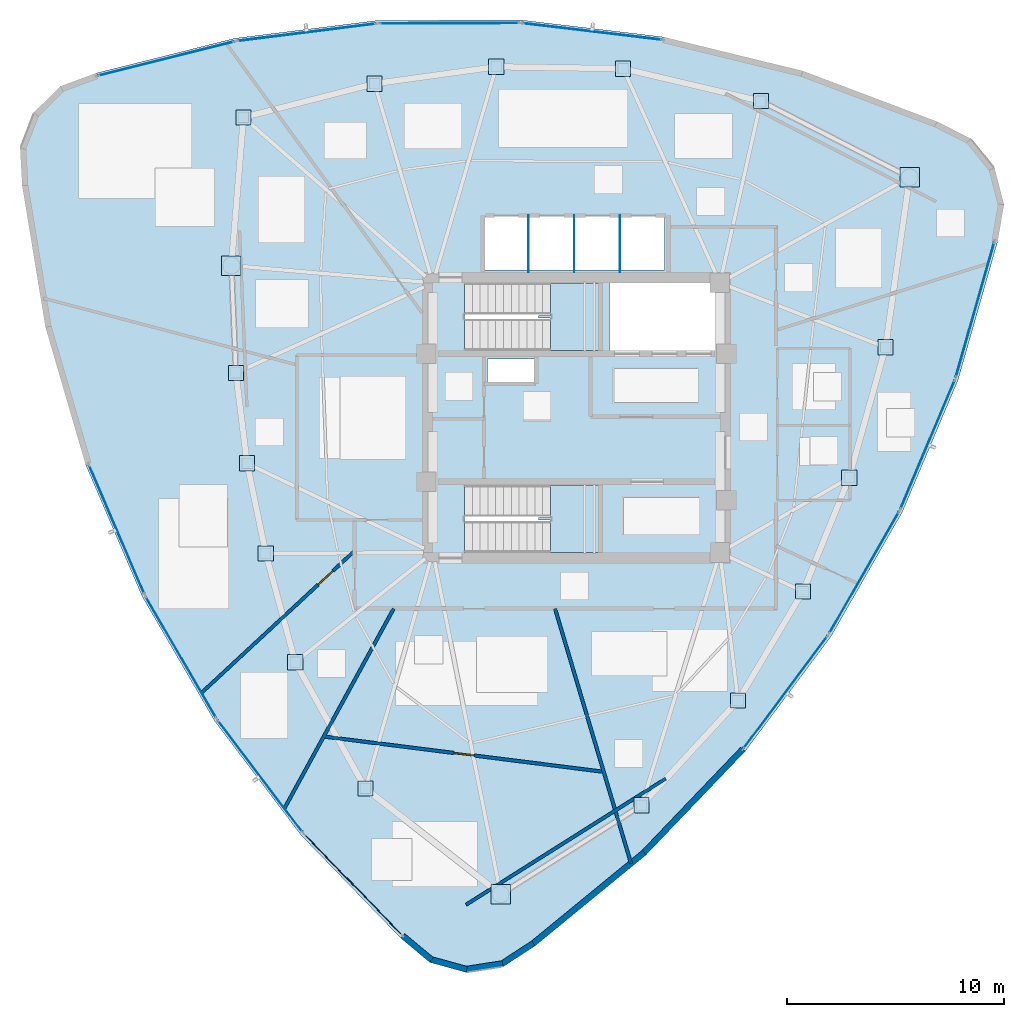
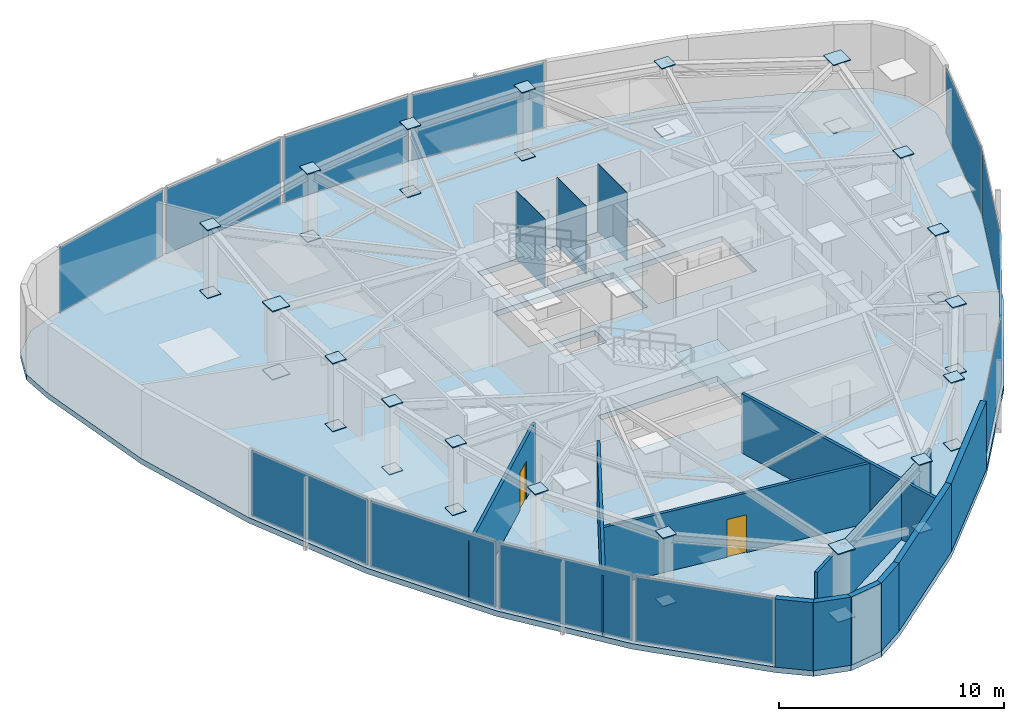
# One storey, part 7 of 12: 51 plates, 11 walls, 3 slabs, 2 doors, 2 openings, 14 elements without a shape of their own.
"""IFC4 building model written with IfcOpenShell, lengths in metres."""

from ifc_helpers import new_model, si_unit, direction, frame, frame_2d, origin, origin_2d, place, context, subcontext, project, spatial, polyline, rectangle, outline, extrude, source, transform, mapped, material, layer, layer_set, type_object, type_shapes, element, fill, aggregate, save


model = new_model("IFC4")

# Units and contexts
model_context = context("Model", 3, precision=1e-05, world=origin(), true_north=direction((0.0, 1.0)))
body_context = subcontext(model_context, "Body", "Model", "MODEL_VIEW")
ifc_project = project(units=[si_unit("LENGTHUNIT", "METRE"), si_unit("AREAUNIT", "SQUARE_METRE"), si_unit("VOLUMEUNIT", "CUBIC_METRE"), si_unit("PLANEANGLEUNIT", "RADIAN"), si_unit("MASSUNIT", "GRAM", prefix="KILO")], contexts=[model_context])

# Site, building, storey
site_placement = place(None, origin())
site = spatial("IfcSite", under=ifc_project, at=site_placement, CompositionType="ELEMENT")
building_placement = place(site_placement, origin())
building = spatial("IfcBuilding", under=site, at=building_placement, Name="Tavelor Broadcast Tower", CompositionType="ELEMENT")
storey_placement = place(building_placement, frame((0.0, 0.0, 281.5)))
storey = spatial("IfcBuildingStorey", under=building, at=storey_placement, Name="L67", CompositionType="ELEMENT", Elevation=281.5)

# Stair, slab
ifc_material_1 = material(Name="Concrete C40/50", Category="concrete")
stair_type = type_object("IfcStairType", Name="Reinforced Concrete Protected Dogleg Stair 1450 mm", PredefinedType="HALF_TURN_STAIR", material=ifc_material_1)
stair_1_placement = place(storey_placement, origin())
stair_1 = element("IfcStair", 1, at=stair_1_placement, inside=storey, type_object=stair_type, Name="L67 Protected Core Exit Stair ST1", PredefinedType="HALF_TURN_STAIR")
ifc_layer_1 = layer(ifc_material_1, 0.199951171875)
ifc_layer_set_1 = layer_set([ifc_layer_1], Name="Concrete C40/50")
slab_type_1 = type_object("IfcSlabType", Name="Reinforced Concrete Stair Half-Landing Slab 200 mm", PredefinedType="LANDING", material=ifc_layer_set_1)
slab_1_placement = place(storey_placement, frame((0.0, 0.0, 1.800048828125)))
slab_1 = element("IfcSlab", 2, at=slab_1_placement, type_object=slab_type_1, Name="ST1 landing 1", PredefinedType="LANDING", context=body_context, shape_type="SweptSolid", body=[
    extrude(outline(polyline([(48.804931640625, 49.590087890625), (48.804931640625, 48.094970703125), (51.0048828125, 48.094970703125), (51.0048828125, 51.205078125), (48.804931640625, 51.205078125), (48.804931640625, 49.7099609375), (48.264892578125, 49.7099609375), (48.264892578125, 49.590087890625), (48.804931640625, 49.590087890625)])), origin(), (0.0, 0.0, 1.0), 0.199951171875),
])
aggregate(stair_1, [slab_1])

stair_2_placement = place(storey_placement, origin())
stair_2 = element("IfcStair", 3, at=stair_2_placement, inside=storey, type_object=stair_type, Name="L67 Protected Core Exit Stair ST2", PredefinedType="HALF_TURN_STAIR")
slab_2_placement = place(storey_placement, frame((0.0, 0.0, 1.800048828125)))
slab_2 = element("IfcSlab", 4, at=slab_2_placement, type_object=slab_type_1, Name="ST2 landing 1", PredefinedType="LANDING", context=body_context, shape_type="SweptSolid", body=[
    extrude(outline(polyline([(48.804931640625, 40.2900390625), (48.804931640625, 38.794921875), (51.0048828125, 38.794921875), (51.0048828125, 41.905029296875), (48.804931640625, 41.905029296875), (48.804931640625, 40.409912109375), (48.264892578125, 40.409912109375), (48.264892578125, 40.2900390625), (48.804931640625, 40.2900390625)])), origin(), (0.0, 0.0, 1.0), 0.199951171875),
])
aggregate(stair_2, [slab_2])

# Slab
ifc_layer_2 = layer(ifc_material_1, 0.300048828125)
ifc_layer_set_2 = layer_set([ifc_layer_2], Name="Concrete C40/50")
slab_type_2 = type_object("IfcSlabType", Name="Tower Composite Floor Slab 300 mm", PredefinedType="FLOOR", material=ifc_layer_set_2)
slab_3_placement = place(storey_placement, frame((0.0, 0.0, -0.300048828125)))
element("IfcSlab", 5, at=slab_3_placement, inside=storey, type_object=slab_type_2, Name="L67 Structural Floor Slab", PredefinedType="FLOOR", context=body_context, shape_type="SweptSolid", body=[
    extrude(outline(polyline([(27.90673828125, 60.843994140625), (26.2802734375, 60.244140625), (25.044677734375, 59.02783203125), (24.419189453125, 57.410888671875), (24.514404296875, 55.6796875), (25.58349609375, 49.16796875), (27.432861328125, 42.83349609375), (30.034912109375, 36.769287109375), (33.35205078125, 31.064453125), (37.3349609375, 25.802978515625), (41.92529296875, 21.062255859375), (43.25830078125, 19.95361328125), (44.92919921875, 19.491943359375), (46.642333984375, 19.758544921875), (48.09375, 20.70654296875), (53.198486328125, 24.888427734375), (57.760009765625, 29.6572265625), (61.71044921875, 34.94287109375), (64.992431640625, 40.667724609375), (67.5576171875, 46.747802734375), (69.367919921875, 53.093505859375), (69.66162109375, 54.80224609375), (69.22607421875, 56.480224609375), (68.138671875, 57.83056640625), (66.591796875, 58.613525390625), (60.41796875, 60.943603515625), (54.00732421875, 62.50927734375), (47.45458984375, 63.287841796875), (40.85546875, 63.267578125), (34.3076171875, 62.44921875), (27.90673828125, 60.843994140625)]), holes=[polyline([(50.99609375, 41.89599609375), (50.99609375, 38.803955078125), (44.85400390625, 38.803955078125), (44.85400390625, 41.89599609375), (50.99609375, 41.89599609375)]), polyline([(48.050048828125, 47.699951171875), (48.050048828125, 46.64990234375), (45.89990234375, 46.64990234375), (45.89990234375, 47.699951171875), (48.050048828125, 47.699951171875)]), polyline([(50.99609375, 51.196044921875), (50.99609375, 48.10400390625), (44.85400390625, 48.10400390625), (44.85400390625, 51.196044921875), (50.99609375, 51.196044921875)]), polyline([(56.60009765625, 48.10009765625), (51.52001953125, 48.10009765625), (51.52001953125, 51.199951171875), (56.60009765625, 51.199951171875), (56.60009765625, 48.10009765625)]), polyline([(54.050048828125, 51.800048828125), (45.800048828125, 51.800048828125), (45.800048828125, 54.25), (54.050048828125, 54.25), (54.050048828125, 51.800048828125)])]), origin(), (0.0, 0.0, 1.0), 0.300048828125),
])

# Plates
ifc_material_2 = material(Name="Steel S460", Category="steel")
ifc_layer_3 = layer(ifc_material_2, 0.050048828125)
ifc_layer_set_3 = layer_set([ifc_layer_3], Name="Steel S460")
plate_type_1 = type_object("IfcPlateType", Name="Tube Hollow-End Cap Plate KN05 700x700x50", PredefinedType="USERDEFINED", material=ifc_layer_set_3)
shared_shape_1 = source(origin(), body_context, "Body", "SweptSolid", [
    extrude(rectangle(XDim=0.699951171875, YDim=0.699951171875, at=origin_2d()), origin(), (0.0, 0.0, 1.0), 0.054931640625),
])
for number, where, z_axis, x_axis, name in (
    (6, (34.341552734375, 47.061279296875, -0.02734375), (0.0, 0.0, 1.0), (1.0, 0.0, 0.0), "L67 Hollow End Cap Plate KN05 #1995"),
    (7, (34.341552734375, 47.061279296875, 3.67236328125), (0.0, 0.0, 1.0), (1.0, 0.0, 0.0), "L67 Hollow End Cap Plate KN05 #1996"),
    (8, (34.85400390625, 42.90185546875, -0.02734375), (0.0, 0.0, 1.0), (1.0, 0.0, 0.0), "L67 Hollow End Cap Plate KN05 #1997"),
    (9, (34.85400390625, 42.90185546875, 3.67236328125), (0.0, 0.0, 1.0), (1.0, 0.0, 0.0), "L67 Hollow End Cap Plate KN05 #1998"),
    (10, (35.716552734375, 38.757080078125, -0.02734375), (0.0, 0.0, 1.0), (1.0, 0.0, 0.0), "L67 Hollow End Cap Plate KN05 #1999"),
    (11, (35.716552734375, 38.757080078125, 3.67236328125), (0.0, 0.0, 1.0), (1.0, 0.0, 0.0), "L67 Hollow End Cap Plate KN05 #2000"),
    (12, (37.068115234375, 33.759521484375, -0.02734375), (0.0, 0.0, 1.0), (1.0, 0.0, 0.0), "L67 Hollow End Cap Plate KN05 #2001"),
    (13, (37.068115234375, 33.759521484375, 3.67236328125), (0.0, 0.0, 1.0), (1.0, 0.0, 0.0), "L67 Hollow End Cap Plate KN05 #2002"),
    (14, (40.29638671875, 27.95361328125, -0.02734375), (0.0, 0.0, 1.0), (1.0, 0.0, 0.0), "L67 Hollow End Cap Plate KN05 #2003"),
    (15, (40.29638671875, 27.95361328125, 3.67236328125), (0.0, 0.0, 1.0), (1.0, 0.0, 0.0), "L67 Hollow End Cap Plate KN05 #2004"),
    (16, (52.992919921875, 27.1767578125, -0.02734375), (0.0, 0.0, 1.0), (1.0, 0.0, 0.0), "L67 Hollow End Cap Plate KN05 #2007"),
    (17, (52.992919921875, 27.1767578125, 3.67236328125), (0.0, 0.0, 1.0), (1.0, 0.0, 0.0), "L67 Hollow End Cap Plate KN05 #2008"),
    (18, (57.431396484375, 31.9921875, -0.02734375), (0.0, 0.0, 1.0), (1.0, 0.0, 0.0), "L67 Hollow End Cap Plate KN05 #2009"),
    (19, (57.431396484375, 31.9921875, 3.67236328125), (0.0, 0.0, 1.0), (1.0, 0.0, 0.0), "L67 Hollow End Cap Plate KN05 #2010"),
    (20, (60.41748046875, 37.00439453125, -0.02734375), (0.0, 0.0, 1.0), (1.0, 0.0, 0.0), "L67 Hollow End Cap Plate KN05 #2011"),
    (21, (60.41748046875, 37.00439453125, 3.67236328125), (0.0, 0.0, 1.0), (1.0, 0.0, 0.0), "L67 Hollow End Cap Plate KN05 #2012"),
    (22, (62.543701171875, 42.240478515625, -0.02734375), (0.0, 0.0, 1.0), (1.0, 0.0, 0.0), "L67 Hollow End Cap Plate KN05 #2013"),
    (23, (62.543701171875, 42.240478515625, 3.67236328125), (0.0, 0.0, 1.0), (1.0, 0.0, 0.0), "L67 Hollow End Cap Plate KN05 #2014"),
    (24, (64.21435546875, 48.2373046875, -0.02734375), (0.0, 0.0, 1.0), (1.0, 0.0, 0.0), "L67 Hollow End Cap Plate KN05 #2015"),
    (25, (64.21435546875, 48.2373046875, 3.67236328125), (0.0, 0.0, 1.0), (1.0, 0.0, 0.0), "L67 Hollow End Cap Plate KN05 #2016"),
    (26, (58.485595703125, 59.55712890625, -0.02734375), (0.0, 0.0, 1.0), (1.0, 0.0, 0.0), "L67 Hollow End Cap Plate KN05 #2019"),
    (27, (58.485595703125, 59.55712890625, 3.67236328125), (0.0, 0.0, 1.0), (1.0, 0.0, 0.0), "L67 Hollow End Cap Plate KN05 #2020"),
    (28, (52.147216796875, 61.05078125, -0.02734375), (0.0, 0.0, 1.0), (1.0, 0.0, 0.0), "L67 Hollow End Cap Plate KN05 #2021"),
    (29, (52.147216796875, 61.05078125, 3.67236328125), (0.0, 0.0, 1.0), (1.0, 0.0, 0.0), "L67 Hollow End Cap Plate KN05 #2022"),
    (30, (46.3154296875, 61.13720703125, -0.02734375), (0.0, 0.0, 1.0), (1.0, 0.0, 0.0), "L67 Hollow End Cap Plate KN05 #2023"),
    (31, (46.3154296875, 61.13720703125, 3.67236328125), (0.0, 0.0, 1.0), (1.0, 0.0, 0.0), "L67 Hollow End Cap Plate KN05 #2024"),
    (32, (40.718017578125, 60.36083984375, -0.02734375), (0.0, 0.0, 1.0), (1.0, 0.0, 0.0), "L67 Hollow End Cap Plate KN05 #2025"),
    (33, (40.718017578125, 60.36083984375, 3.67236328125), (0.0, 0.0, 1.0), (1.0, 0.0, 0.0), "L67 Hollow End Cap Plate KN05 #2026"),
    (34, (34.689208984375, 58.80908203125, -0.02734375), (0.0, 0.0, 1.0), (1.0, 0.0, 0.0), "L67 Hollow End Cap Plate KN05 #2027"),
    (35, (34.689208984375, 58.80908203125, 3.67236328125), (0.0, 0.0, 1.0), (1.0, 0.0, 0.0), "L67 Hollow End Cap Plate KN05 #2028"),
):
    element("IfcPlate", number, at=place(storey_placement, frame(where, z_axis=z_axis, x_axis=x_axis)), inside=storey, type_object=plate_type_1, Name=name, ObjectType="CAP PLATE", PredefinedType="USERDEFINED", context=body_context, shape_type="MappedRepresentation", body=[
        mapped(shared_shape_1, transform((0.0, 0.0, 0.0), scale=1.0)),
    ])
shared_shape_2 = source(origin(), body_context, "Body", "SweptSolid", [
    extrude(rectangle(XDim=0.89306640625, YDim=0.89306640625, at=origin_2d()), origin(), (0.0, 0.0, 1.0), 0.054931640625),
])
type_shapes(plate_type_1, [shared_shape_1, shared_shape_2])
for number, where, z_axis, x_axis, name in (
    (36, (34.134765625, 51.995849609375, -0.02734375), (0.0, 0.0, 1.0), (1.0, 0.0, 0.0), "L67 Hollow End Cap Plate KN05 #1993"),
    (37, (34.134765625, 51.995849609375, 3.67236328125), (0.0, 0.0, 1.0), (1.0, 0.0, 0.0), "L67 Hollow End Cap Plate KN05 #1994"),
    (38, (46.5146484375, 23.08740234375, -0.02734375), (0.0, 0.0, 1.0), (1.0, 0.0, 0.0), "L67 Hollow End Cap Plate KN05 #2005"),
    (39, (46.5146484375, 23.08740234375, 3.67236328125), (0.0, 0.0, 1.0), (1.0, 0.0, 0.0), "L67 Hollow End Cap Plate KN05 #2006"),
    (40, (65.319580078125, 56.0556640625, -0.02734375), (0.0, 0.0, 1.0), (1.0, 0.0, 0.0), "L67 Hollow End Cap Plate KN05 #2017"),
    (41, (65.319580078125, 56.0556640625, 3.67236328125), (0.0, 0.0, 1.0), (1.0, 0.0, 0.0), "L67 Hollow End Cap Plate KN05 #2018"),
):
    element("IfcPlate", number, at=place(storey_placement, frame(where, z_axis=z_axis, x_axis=x_axis)), inside=storey, type_object=plate_type_1, Name=name, ObjectType="CAP PLATE", PredefinedType="USERDEFINED", context=body_context, shape_type="MappedRepresentation", body=[
        mapped(shared_shape_2, transform((0.0, 0.0, 0.0), scale=1.0)),
    ])
ifc_material_3 = material(Name="Steel S355", Category="steel")
ifc_layer_4 = layer(ifc_material_3, 0.011962890625)
ifc_layer_set_4 = layer_set([ifc_layer_4], Name="Steel S355")
plate_type_2 = type_object("IfcPlateType", Name="Hoistway Steel Separator Screen 12 mm", PredefinedType="SHEET", material=ifc_layer_set_4)
shared_shape_3 = source(origin(), body_context, "Body", "SweptSolid", [
    extrude(rectangle(XDim=0.02001953125, YDim=2.6201171875, at=origin_2d()), origin(), (0.0, 0.0, 1.0), 3.699951171875),
])
type_shapes(plate_type_2, [shared_shape_3])
for number, where, z_axis, x_axis, name in (
    (42, (47.800048828125, 52.989990234375, 0.0), (0.0, 0.0, 1.0), (1.0, 0.0, 0.0), "L67 High-Rise Hoistway Separator Screen 1"),
    (43, (49.89990234375, 52.989990234375, 0.0), (0.0, 0.0, 1.0), (1.0, 0.0, 0.0), "L67 High-Rise Hoistway Separator Screen 2"),
    (44, (52.0, 52.989990234375, 0.0), (0.0, 0.0, 1.0), (1.0, 0.0, 0.0), "L67 High-Rise Hoistway Separator Screen 3"),
):
    element("IfcPlate", number, at=place(storey_placement, frame(where, z_axis=z_axis, x_axis=x_axis)), inside=storey, type_object=plate_type_2, Name=name, PredefinedType="SHEET", context=body_context, shape_type="MappedRepresentation", body=[
        mapped(shared_shape_3, transform((0.0, 0.0, 0.0), scale=1.0)),
    ])

# Curtain wall, plate
ifc_material_4 = material(Name="Architectural Anodized Aluminium", Category="aluminium")
ifc_layer_5 = layer(ifc_material_4, 0.199951171875)
ifc_layer_set_5 = layer_set([ifc_layer_5], Name="Architectural Anodized Aluminium")
curtain_wall_type = type_object("IfcCurtainWallType", Name="Tower High-Zone Triple-Glazed Curtain Wall CW04", PredefinedType="NOTDEFINED", material=ifc_layer_set_5)
curtain_wall_1_placement = place(storey_placement, origin())
curtain_wall_1 = element("IfcCurtainWall", 45, at=curtain_wall_1_placement, inside=storey, type_object=curtain_wall_type, Name="L67 Curtain Wall CW04 Run 733", PredefinedType="NOTDEFINED")
ifc_material_5 = material(Name="High-Altitude Triple Glazing 36 mm", Category="glass")
ifc_layer_6 = layer(ifc_material_5, 0.035888671875)
ifc_layer_set_6 = layer_set([ifc_layer_6], Name="High-Altitude Triple Glazing 36 mm")
plate_type_3 = type_object("IfcPlateType", Name="CW04 Insulated Vision Glazing Panel 36 mm", PredefinedType="CURTAIN_PANEL", material=ifc_layer_set_6)
shared_shape_4 = source(origin(), body_context, "Body", "SweptSolid", [
    extrude(rectangle(XDim=6.427001953125, YDim=0.035888671875, at=origin_2d()), origin(), (0.0, 0.0, 1.0), 3.56005859375),
])
plate_1_placement = place(storey_placement, frame((28.859619140625, 39.863525390625, 0.070068359375), z_axis=(0.0, 0.0, 1.0), x_axis=(0.394338283809, -0.918965351862, 0.0)))
plate_1 = element("IfcPlate", 46, at=plate_1_placement, type_object=plate_type_3, Name="CW04 panel 1.1", PredefinedType="CURTAIN_PANEL", context=body_context, shape_type="MappedRepresentation", body=[
    mapped(shared_shape_4, transform((0.0, 0.0, 0.0), scale=1.0)),
])
aggregate(curtain_wall_1, [plate_1])

curtain_wall_2_placement = place(storey_placement, origin())
curtain_wall_2 = element("IfcCurtainWall", 47, at=curtain_wall_2_placement, inside=storey, type_object=curtain_wall_type, Name="L67 Curtain Wall CW04 Run 737", PredefinedType="NOTDEFINED")
plate_2_placement = place(storey_placement, frame((59.61865234375, 32.3779296875, 0.070068359375), z_axis=(0.0, 0.0, 1.0), x_axis=(0.598666428803, 0.800998443834, 0.0)))
plate_2 = element("IfcPlate", 48, at=plate_2_placement, type_object=plate_type_3, Name="CW04 panel 1.1", PredefinedType="CURTAIN_PANEL", context=body_context, shape_type="MappedRepresentation", body=[
    mapped(shared_shape_4, transform((0.0, 0.0, 0.0), scale=1.0)),
])
aggregate(curtain_wall_2, [plate_2])

curtain_wall_3_placement = place(storey_placement, origin())
curtain_wall_3 = element("IfcCurtainWall", 49, at=curtain_wall_3_placement, inside=storey, type_object=curtain_wall_type, Name="L67 Curtain Wall CW04 Run 734", PredefinedType="NOTDEFINED")
shared_shape_5 = source(origin(), body_context, "Body", "SweptSolid", [
    extrude(rectangle(XDim=6.412109375, YDim=0.035888671875, at=origin_2d()), origin(), (0.0, 0.0, 1.0), 3.56005859375),
])
plate_3_placement = place(storey_placement, frame((31.814453125, 33.9873046875, 0.070068359375), z_axis=(0.0, 0.0, 1.0), x_axis=(0.50265016745, -0.864489912701, 0.0)))
plate_3 = element("IfcPlate", 50, at=plate_3_placement, type_object=plate_type_3, Name="CW04 panel 1.1", PredefinedType="CURTAIN_PANEL", context=body_context, shape_type="MappedRepresentation", body=[
    mapped(shared_shape_5, transform((0.0, 0.0, 0.0), scale=1.0)),
])
aggregate(curtain_wall_3, [plate_3])

curtain_wall_4_placement = place(storey_placement, origin())
curtain_wall_4 = element("IfcCurtainWall", 51, at=curtain_wall_4_placement, inside=storey, type_object=curtain_wall_type, Name="L67 Curtain Wall CW04 Run 742", PredefinedType="NOTDEFINED")
plate_4_placement = place(storey_placement, frame((44.155517578125, 63.1376953125, 0.070068359375), z_axis=(0.0, 0.0, 1.0), x_axis=(-0.999995341145, -0.003052488837, 0.0)))
plate_4 = element("IfcPlate", 52, at=plate_4_placement, type_object=plate_type_3, Name="CW04 panel 1.1", PredefinedType="CURTAIN_PANEL", context=body_context, shape_type="MappedRepresentation", body=[
    mapped(shared_shape_5, transform((0.0, 0.0, 0.0), scale=1.0)),
])
aggregate(curtain_wall_4, [plate_4])

curtain_wall_5_placement = place(storey_placement, origin())
curtain_wall_5 = element("IfcCurtainWall", 53, at=curtain_wall_5_placement, inside=storey, type_object=curtain_wall_type, Name="L67 Curtain Wall CW04 Run 735", PredefinedType="NOTDEFINED")
shared_shape_6 = source(origin(), body_context, "Body", "SweptSolid", [
    extrude(rectangle(XDim=6.411865234375, YDim=0.035888671875, at=origin_2d()), origin(), (0.0, 0.0, 1.0), 3.56005859375),
])
plate_5_placement = place(storey_placement, frame((35.455078125, 28.518310546875, 0.070068359375), z_axis=(0.0, 0.0, 1.0), x_axis=(0.603559383955, -0.797318048234, 0.0)))
plate_5 = element("IfcPlate", 54, at=plate_5_placement, type_object=plate_type_3, Name="CW04 panel 1.1", PredefinedType="CURTAIN_PANEL", context=body_context, shape_type="MappedRepresentation", body=[
    mapped(shared_shape_6, transform((0.0, 0.0, 0.0), scale=1.0)),
])
aggregate(curtain_wall_5, [plate_5])

curtain_wall_6_placement = place(storey_placement, origin())
curtain_wall_6 = element("IfcCurtainWall", 55, at=curtain_wall_6_placement, inside=storey, type_object=curtain_wall_type, Name="L67 Curtain Wall CW04 Run 738", PredefinedType="NOTDEFINED")
plate_6_placement = place(storey_placement, frame((63.22998046875, 37.875, 0.070068359375), z_axis=(0.0, 0.0, 1.0), x_axis=(0.497362976616, 0.867542546214, 0.0)))
plate_6 = element("IfcPlate", 56, at=plate_6_placement, type_object=plate_type_3, Name="CW04 panel 1.1", PredefinedType="CURTAIN_PANEL", context=body_context, shape_type="MappedRepresentation", body=[
    mapped(shared_shape_6, transform((0.0, 0.0, 0.0), scale=1.0)),
])
aggregate(curtain_wall_6, [plate_6])

curtain_wall_7_placement = place(storey_placement, origin())
curtain_wall_7 = element("IfcCurtainWall", 57, at=curtain_wall_7_placement, inside=storey, type_object=curtain_wall_type, Name="L67 Curtain Wall CW04 Run 739", PredefinedType="NOTDEFINED")
plate_7_placement = place(storey_placement, frame((66.14599609375, 43.76220703125, 0.070068359375), z_axis=(0.0, 0.0, 1.0), x_axis=(0.38872216706, 0.921355022147, 0.0)))
plate_7 = element("IfcPlate", 58, at=plate_7_placement, type_object=plate_type_3, Name="CW04 panel 1.1", PredefinedType="CURTAIN_PANEL", context=body_context, shape_type="MappedRepresentation", body=[
    mapped(shared_shape_6, transform((0.0, 0.0, 0.0), scale=1.0)),
])
aggregate(curtain_wall_7, [plate_7])

curtain_wall_8_placement = place(storey_placement, origin())
curtain_wall_8 = element("IfcCurtainWall", 59, at=curtain_wall_8_placement, inside=storey, type_object=curtain_wall_type, Name="L67 Curtain Wall CW04 Run 743", PredefinedType="NOTDEFINED")
plate_8_placement = place(storey_placement, frame((37.598876953125, 62.719482421875, 0.070068359375), z_axis=(0.0, 0.0, 1.0), x_axis=(-0.992275058681, -0.124057276772, 0.0)))
plate_8 = element("IfcPlate", 60, at=plate_8_placement, type_object=plate_type_3, Name="CW04 panel 1.1", PredefinedType="CURTAIN_PANEL", context=body_context, shape_type="MappedRepresentation", body=[
    mapped(shared_shape_6, transform((0.0, 0.0, 0.0), scale=1.0)),
])
aggregate(curtain_wall_8, [plate_8])

curtain_wall_9_placement = place(storey_placement, origin())
curtain_wall_9 = element("IfcCurtainWall", 61, at=curtain_wall_9_placement, inside=storey, type_object=curtain_wall_type, Name="L67 Curtain Wall CW04 Run 736", PredefinedType="NOTDEFINED")
shared_shape_7 = source(origin(), body_context, "Body", "SweptSolid", [
    extrude(rectangle(XDim=6.427978515625, YDim=0.035888671875, at=origin_2d()), origin(), (0.0, 0.0, 1.0), 3.56005859375),
])
plate_9_placement = place(storey_placement, frame((39.736083984375, 23.5244140625, 0.070068359375), z_axis=(0.0, 0.0, 1.0), x_axis=(0.695610859896, -0.718418771745, 0.0)))
plate_9 = element("IfcPlate", 62, at=plate_9_placement, type_object=plate_type_3, Name="CW04 panel 1.1", PredefinedType="CURTAIN_PANEL", context=body_context, shape_type="MappedRepresentation", body=[
    mapped(shared_shape_7, transform((0.0, 0.0, 0.0), scale=1.0)),
])
aggregate(curtain_wall_9, [plate_9])

curtain_wall_10_placement = place(storey_placement, origin())
curtain_wall_10 = element("IfcCurtainWall", 63, at=curtain_wall_10_placement, inside=storey, type_object=curtain_wall_type, Name="L67 Curtain Wall CW04 Run 740", PredefinedType="NOTDEFINED")
plate_10_placement = place(storey_placement, frame((68.330322265625, 49.966796875, 0.070068359375), z_axis=(0.0, 0.0, 1.0), x_axis=(0.274349086952, 0.96163016721, 0.0)))
plate_10 = element("IfcPlate", 64, at=plate_10_placement, type_object=plate_type_3, Name="CW04 panel 1.1", PredefinedType="CURTAIN_PANEL", context=body_context, shape_type="MappedRepresentation", body=[
    mapped(shared_shape_7, transform((0.0, 0.0, 0.0), scale=1.0)),
])
aggregate(curtain_wall_10, [plate_10])

curtain_wall_11_placement = place(storey_placement, origin())
curtain_wall_11 = element("IfcCurtainWall", 65, at=curtain_wall_11_placement, inside=storey, type_object=curtain_wall_type, Name="L67 Curtain Wall CW04 Run 744", PredefinedType="NOTDEFINED")
plate_11_placement = place(storey_placement, frame((31.133544921875, 61.5087890625, 0.070068359375), z_axis=(0.0, 0.0, 1.0), x_axis=(-0.969970300538, -0.243223387187, 0.0)))
plate_11 = element("IfcPlate", 66, at=plate_11_placement, type_object=plate_type_3, Name="CW04 panel 1.1", PredefinedType="CURTAIN_PANEL", context=body_context, shape_type="MappedRepresentation", body=[
    mapped(shared_shape_7, transform((0.0, 0.0, 0.0), scale=1.0)),
])
aggregate(curtain_wall_11, [plate_11])

curtain_wall_12_placement = place(storey_placement, origin())
curtain_wall_12 = element("IfcCurtainWall", 67, at=curtain_wall_12_placement, inside=storey, type_object=curtain_wall_type, Name="L67 Curtain Wall CW04 Run 741", PredefinedType="NOTDEFINED")
shared_shape_8 = source(origin(), body_context, "Body", "SweptSolid", [
    extrude(rectangle(XDim=6.4267578125, YDim=0.035888671875, at=origin_2d()), origin(), (0.0, 0.0, 1.0), 3.56005859375),
])
type_shapes(plate_type_3, [shared_shape_4, shared_shape_5, shared_shape_6, shared_shape_7, shared_shape_8])
plate_12_placement = place(storey_placement, frame((50.7216796875, 62.7587890625, 0.070068359375), z_axis=(0.0, 0.0, 1.0), x_axis=(-0.993015231351, 0.117986229304, 0.0)))
plate_12 = element("IfcPlate", 68, at=plate_12_placement, type_object=plate_type_3, Name="CW04 panel 1.1", PredefinedType="CURTAIN_PANEL", context=body_context, shape_type="MappedRepresentation", body=[
    mapped(shared_shape_8, transform((0.0, 0.0, 0.0), scale=1.0)),
])
aggregate(curtain_wall_12, [plate_12])

# Walls
ifc_material_6 = material(Name="Precast Concrete C40/50", Category="concrete")
ifc_layer_7 = layer(ifc_material_6, 0.280029296875)
ifc_layer_set_7 = layer_set([ifc_layer_7], Name="Precast Concrete C40/50")
wall_type_1 = type_object("IfcWallType", Name="Insulated Precast Terracotta Facade Wall 280 mm", PredefinedType="STANDARD", material=ifc_layer_set_7)
wall_1_placement = place(storey_placement, frame((42.017578125, 21.167724609375, 0.0), z_axis=(0.0, 0.0, 1.0), x_axis=(0.768839332524, -0.63944200735, 0.0)))
element("IfcWall", 69, at=wall_1_placement, inside=storey, type_object=wall_type_1, Name="L67 Rounded Corner Structural Cladding Pier 11", PredefinedType="STANDARD", context=body_context, shape_type="SweptSolid", body=[
    extrude(rectangle(XDim=1.715087890625, YDim=0.280029296875, at=frame_2d((0.857421875, 0.0))), origin(), (0.0, 0.0, 1.0), 3.699951171875),
])
for number, where, z_axis, x_axis, name in (
    (70, (43.31005859375, 20.084716796875, 0.0), (0.0, 0.0, 1.0), (0.963851851983, -0.266438749864, 0.0), "L67 Rounded Corner Structural Cladding Pier 12"),
    (71, (44.922607421875, 19.632568359375, 0.0), (0.0, 0.0, 1.0), (0.988103404155, 0.153790970795, 0.0), "L67 Rounded Corner Structural Cladding Pier 13"),
):
    element("IfcWall", number, at=place(storey_placement, frame(where, z_axis=z_axis, x_axis=x_axis)), inside=storey, type_object=wall_type_1, Name=name, PredefinedType="STANDARD", context=body_context, shape_type="SweptSolid", body=[
        extrude(rectangle(XDim=1.703369140625, YDim=0.280029296875, at=frame_2d((0.8515625, 0.0))), origin(), (0.0, 0.0, 1.0), 3.699951171875),
    ])
wall_2_placement = place(storey_placement, frame((46.578369140625, 19.884033203125, 0.0), z_axis=(0.0, 0.0, 1.0), x_axis=(0.83723614218, 0.546841514726, 0.0)))
element("IfcWall", 72, at=wall_2_placement, inside=storey, type_object=wall_type_1, Name="L67 Rounded Corner Structural Cladding Pier 14", PredefinedType="STANDARD", context=body_context, shape_type="SweptSolid", body=[
    extrude(rectangle(XDim=1.72607421875, YDim=0.280029296875, at=frame_2d((0.863037109375, 0.0))), origin(), (0.0, 0.0, 1.0), 3.699951171875),
])
wall_3_placement = place(storey_placement, frame((47.999267578125, 20.810302734375, 0.0), z_axis=(0.0, 0.0, 1.0), x_axis=(0.773598586607, 0.633675963564, 0.0)))
element("IfcWall", 73, at=wall_3_placement, inside=storey, type_object=wall_type_1, Name="L67 Rounded Corner Structural Cladding Pier 15", PredefinedType="STANDARD", context=body_context, shape_type="SweptSolid", body=[
    extrude(rectangle(XDim=6.61279296875, YDim=0.280029296875, at=frame_2d((3.306396484375, 0.0))), origin(), (0.0, 0.0, 1.0), 3.699951171875),
])
wall_4_placement = place(storey_placement, frame((53.093017578125, 24.98046875, 0.0), z_axis=(0.0, 0.0, 1.0), x_axis=(0.691194093562, 0.722669167064, 0.0)))
element("IfcWall", 74, at=wall_4_placement, inside=storey, type_object=wall_type_1, Name="L67 Rounded Corner Structural Cladding Pier 16", PredefinedType="STANDARD", context=body_context, shape_type="SweptSolid", body=[
    extrude(rectangle(XDim=6.600830078125, YDim=0.280029296875, at=frame_2d((3.30029296875, 0.0))), origin(), (0.0, 0.0, 1.0), 3.699951171875),
])
ifc_material_7 = material(Name="Gypsum Acoustic Plasterboard 150 mm", Category="gypsum")
ifc_layer_8 = layer(ifc_material_7, 0.14990234375)
ifc_layer_set_8 = layer_set([ifc_layer_8], Name="Gypsum Acoustic Plasterboard 150 mm")
wall_type_2 = type_object("IfcWallType", Name="Interior Acoustic Partition Wall 150 mm", PredefinedType="PARTITIONING", material=ifc_layer_set_8)
wall_5_placement = place(storey_placement, frame((44.9267578125, 22.60546875, 0.0), z_axis=(0.0, 0.0, 1.0), x_axis=(0.845624548895, 0.533778158326, 0.0)))
element("IfcWall", 75, at=wall_5_placement, inside=storey, type_object=wall_type_2, Name="L67 Corner Tube Brace Furring Wall 2", PredefinedType="PARTITIONING", context=body_context, shape_type="SweptSolid", body=[
    extrude(rectangle(XDim=10.861083984375, YDim=0.14990234375, at=frame_2d((5.4306640625, 0.0))), origin(), (0.0, 0.0, 1.0), 3.175048828125),
])

# Wall, opening, door
wall_6_placement = place(storey_placement, frame((39.800048828125, 38.87841796875, 0.0), z_axis=(0.0, 0.0, 1.0), x_axis=(-0.733167235801, -0.680048383829, 0.0)))
wall_6 = element("IfcWall", 76, at=wall_6_placement, inside=storey, type_object=wall_type_2, Name="L67 Radial Compartment Wall 03", PredefinedType="PARTITIONING", context=body_context, shape_type="SweptSolid", body=[
    extrude(rectangle(XDim=9.60595703125, YDim=0.14990234375, at=frame_2d((4.802978515625, 0.0))), origin(), (0.0, 0.0, 1.0), 3.235107421875),
])
opening_1_placement = place(wall_6_placement, frame((1.35009765625, 0.0, 0.0)))
opening_1 = element("IfcOpeningElement", 77, at=opening_1_placement, cuts=wall_6, Name="Opening DR18", PredefinedType="OPENING", context=body_context, shape_type="SweptSolid", body=[
    extrude(rectangle(XDim=0.949951171875, YDim=2.050048828125, at=frame_2d((0.47509765625, 1.02490234375))), frame((0.0, 0.0849609375, 0.0), z_axis=(0.0, -1.0, 0.0), x_axis=(1.0, 0.0, 0.0)), (0.0, 0.0, 1.0), 0.169921875),
])
ifc_material_8 = material(Name="Timber Solid Core Hardwood", Category="wood")
door_type_1 = type_object("IfcDoorType", Name="Corridor Rated Compartment Door 950x2050", OperationType="NOTDEFINED", PredefinedType="DOOR", material=ifc_material_8)
door_1_placement = place(opening_1_placement, origin())
door_1 = element("IfcDoor", 78, at=door_1_placement, inside=storey, type_object=door_type_1, Name="L67 Suite Connecting Door 4", OperationType="SINGLE_SWING_LEFT", OverallHeight=2.050048828125, OverallWidth=0.949951171875, PredefinedType="DOOR", context=body_context, shape_type="SweptSolid", body=[
    extrude(rectangle(XDim=0.949951171875, YDim=2.050048828125, at=frame_2d((0.47509765625, 1.02490234375))), frame((0.0, 0.02490234375, 0.0), z_axis=(0.0, -1.0, 0.0), x_axis=(1.0, 0.0, 0.0)), (0.0, 0.0, 1.0), 0.050048828125),
])
fill(opening_1, door_1)

# Walls
wall_7_placement = place(storey_placement, frame((41.59765625, 36.219970703125, 0.0), z_axis=(0.0, 0.0, 1.0), x_axis=(-0.47986083092, -0.877344620402, 0.0)))
element("IfcWall", 79, at=wall_7_placement, inside=storey, type_object=wall_type_2, Name="L67 Radial Compartment Wall 04", PredefinedType="PARTITIONING", context=body_context, shape_type="SweptSolid", body=[
    extrude(rectangle(XDim=10.4765625, YDim=0.14990234375, at=frame_2d((5.23828125, 0.0))), origin(), (0.0, 0.0, 1.0), 3.235107421875),
])
wall_8_placement = place(storey_placement, frame((49.018310546875, 36.219970703125, 0.0), z_axis=(0.0, 0.0, 1.0), x_axis=(0.285762040586, -0.958300608452, 0.0)))
element("IfcWall", 80, at=wall_8_placement, inside=storey, type_object=wall_type_2, Name="L67 Radial Compartment Wall 05", PredefinedType="PARTITIONING", context=body_context, shape_type="SweptSolid", body=[
    extrude(rectangle(XDim=12.234375, YDim=0.14990234375, at=frame_2d((6.1171875, 0.0))), origin(), (0.0, 0.0, 1.0), 3.235107421875),
])

# Wall, opening, door
wall_9_placement = place(storey_placement, frame((38.380126953125, 30.33740234375, 0.0), z_axis=(0.0, 0.0, 1.0), x_axis=(0.992169250713, -0.124900672295, 0.0)))
wall_9 = element("IfcWall", 81, at=wall_9_placement, inside=storey, type_object=wall_type_2, Name="L67 Suite Chord Partition Wall 01", PredefinedType="PARTITIONING", context=body_context, shape_type="SweptSolid", body=[
    extrude(rectangle(XDim=12.97705078125, YDim=0.14990234375, at=frame_2d((6.488525390625, 0.0))), origin(), (0.0, 0.0, 1.0), 3.235107421875),
])
opening_2_placement = place(wall_9_placement, frame((6.013671875, 0.0, 0.0)))
opening_2 = element("IfcOpeningElement", 82, at=opening_2_placement, cuts=wall_9, Name="Opening DR23", PredefinedType="OPENING", context=body_context, shape_type="SweptSolid", body=[
    extrude(rectangle(XDim=0.949951171875, YDim=2.050048828125, at=frame_2d((0.47509765625, 1.02490234375))), frame((0.0, 0.0849609375, 0.0), z_axis=(0.0, -1.0, 0.0), x_axis=(1.0, 0.0, 0.0)), (0.0, 0.0, 1.0), 0.169921875),
])
door_type_2 = type_object("IfcDoorType", Name="Editorial Room Acoustic Door 950x2050", OperationType="NOTDEFINED", PredefinedType="DOOR", material=ifc_material_8)
door_2_placement = place(opening_2_placement, origin())
door_2 = element("IfcDoor", 83, at=door_2_placement, inside=storey, type_object=door_type_2, Name="L67 Outer Suite Partition Door 1", OperationType="SINGLE_SWING_LEFT", OverallHeight=2.050048828125, OverallWidth=0.949951171875, PredefinedType="DOOR", context=body_context, shape_type="SweptSolid", body=[
    extrude(rectangle(XDim=0.949951171875, YDim=2.050048828125, at=frame_2d((0.47509765625, 1.02490234375))), frame((0.0, 0.02490234375, 0.0), z_axis=(0.0, -1.0, 0.0), x_axis=(1.0, 0.0, 0.0)), (0.0, 0.0, 1.0), 0.050048828125),
])
fill(opening_2, door_2)

save(model, "model.ifc")
